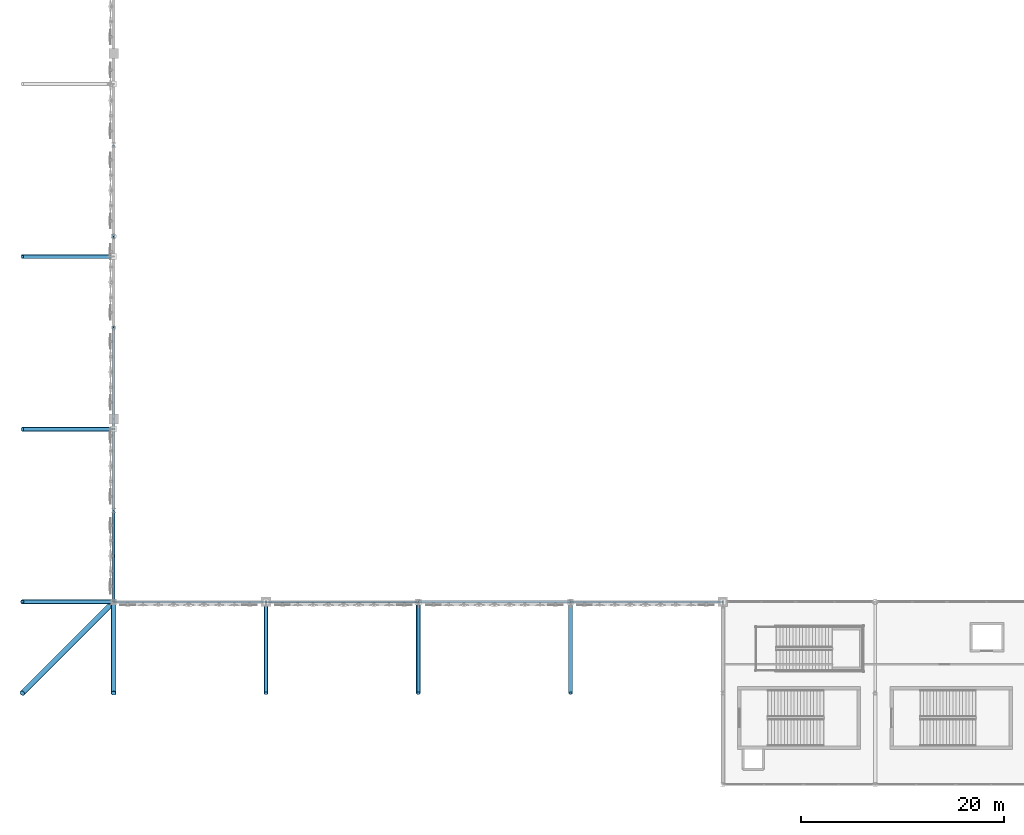
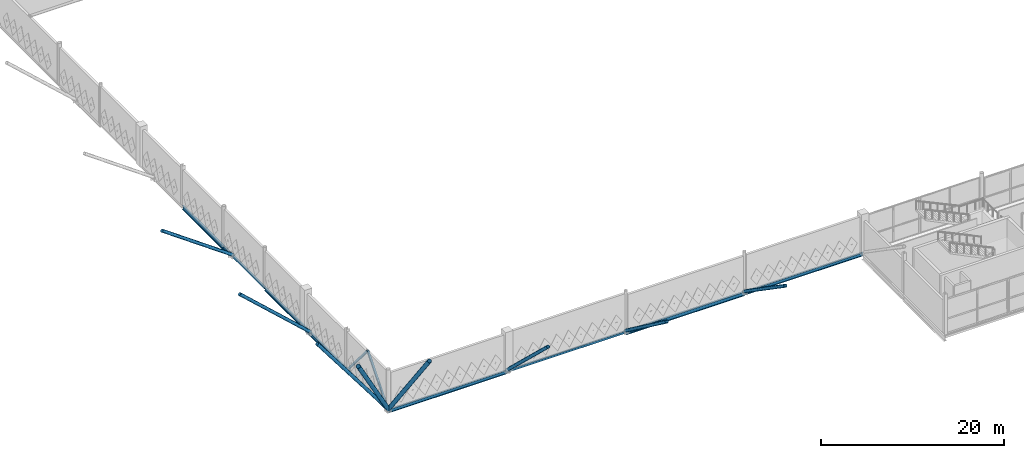
# One storey, part 23 of 119: 10 members, 9 beams.
"""IFC4 building model written with IfcOpenShell, lengths in metres."""

import ifcopenshell
import ifcopenshell.guid

model = None  # the IFC model being written
_history = None  # IfcOwnerHistory: only IFC2X3 demands one
_inside = {}  # id of a spatial element -> (the spatial element, [elements in it])
_under = {}  # id of a project, library or spatial element -> (it, [spatial elements below it])
_declared = {}  # id of a project -> (the project, [libraries it declares])
_typed = {}  # id of a type object -> (the type object, [elements of that type])
_made_of = {}  # id of a material, layer set ... -> (it, [elements and type objects made of it])


def new_model(schema):
    """Start an empty IFC model of exactly this schema.

    Asked for "IFC4X3", IfcOpenShell would pick the latest addendum, in which some entities
    have other attributes; the version numbers below select the first issue.
    IFC2X3 requires an IfcOwnerHistory on every rooted entity: one is made here for all.
    """
    global model, _history
    if schema == "IFC4X3":
        model = ifcopenshell.file(schema_version=(4, 3, 0, 0))
    else:
        model = ifcopenshell.file(schema=schema)
    _inside.clear()
    _under.clear()
    _declared.clear()
    _typed.clear()
    _made_of.clear()
    _history = None
    if model.schema == "IFC2X3":
        org = make("IfcOrganization", Name="unknown")
        user = make(
            "IfcPersonAndOrganization",
            ThePerson=make("IfcPerson", FamilyName="unknown"),
            TheOrganization=org,
        )
        app = make(
            "IfcApplication",
            ApplicationDeveloper=org,
            Version="unknown",
            ApplicationFullName="unknown",
            ApplicationIdentifier="unknown",
        )
        _history = make(
            "IfcOwnerHistory",
            OwningUser=user,
            OwningApplication=app,
            ChangeAction="ADDED",
            CreationDate=0,
        )
    return model


def make(cls, **values):
    """One entity of the class cls with the attributes given. An attribute that is None is left unset."""
    return model.create_entity(
        cls, **{name: value for name, value in values.items() if value is not None}
    )


def rooted(cls, **values):
    """An entity with a GlobalId (a new one), such as an element, a storey or a relation."""
    return make(cls, GlobalId=ifcopenshell.guid.new(), OwnerHistory=_history, **values)


def si_unit(unit_type, name, prefix=None):
    """IfcSIUnit, for example si_unit("LENGTHUNIT", "METRE", prefix="MILLI")."""
    return make("IfcSIUnit", UnitType=unit_type, Prefix=prefix, Name=name)


def assignment(units):
    """IfcUnitAssignment: the units of a project."""
    return None if units is None else make("IfcUnitAssignment", Units=units)


def point(xyz):
    """IfcCartesianPoint."""
    return None if xyz is None else make("IfcCartesianPoint", Coordinates=xyz)


def direction(xyz):
    """IfcDirection."""
    return None if xyz is None else make("IfcDirection", DirectionRatios=xyz)


def frame(location, z_axis=None, x_axis=None):
    """IfcAxis2Placement3D, a coordinate frame: its origin and axes. An axis left out is left unset."""
    return make(
        "IfcAxis2Placement3D",
        Location=point(location),
        Axis=direction(z_axis),
        RefDirection=direction(x_axis),
    )


def frame_2d(location, x_axis=None):
    """IfcAxis2Placement2D, a coordinate frame in the plane: its origin and x axis."""
    return make(
        "IfcAxis2Placement2D", Location=point(location), RefDirection=direction(x_axis)
    )


def origin():
    """The frame at (0, 0, 0) with its axes left unset."""
    return frame((0.0, 0.0, 0.0))


def origin_2d():
    """The frame at (0, 0) in the plane with its x axis left unset."""
    return frame_2d((0.0, 0.0))


def place(relative_to, where):
    """IfcLocalPlacement: puts the frame where relative to a parent placement (None: the world)."""
    return make(
        "IfcLocalPlacement", PlacementRelTo=relative_to, RelativePlacement=where
    )


def context(
    kind, dimensions, precision=None, world=None, true_north=None, identifier=None
):
    """IfcGeometricRepresentationContext, for example the 3D "Model" context."""
    return make(
        "IfcGeometricRepresentationContext",
        ContextIdentifier=identifier,
        ContextType=kind,
        CoordinateSpaceDimension=dimensions,
        Precision=precision,
        WorldCoordinateSystem=world,
        TrueNorth=true_north,
    )


def subcontext(parent, identifier, kind, view, scale=None):
    """IfcGeometricRepresentationSubContext, for example "Body" below "Model"."""
    return make(
        "IfcGeometricRepresentationSubContext",
        ContextIdentifier=identifier,
        ContextType=kind,
        ParentContext=parent,
        TargetScale=scale,
        TargetView=view,
    )


def project(units=None, contexts=None):
    """IfcProject with its units and contexts."""
    return rooted(
        "IfcProject",
        Name="project",
        RepresentationContexts=contexts,
        UnitsInContext=assignment(units),
    )


def spatial(cls, under=None, at=None, **own):
    """A site, building, storey or space (cls), placed at a placement, below another one or the project."""
    s = rooted(cls, ObjectPlacement=at, **own)
    if under is not None:
        _under.setdefault(under.id(), (under, []))[1].append(s)
    return s


def profile(cls, at=None, kind="AREA", **sizes):
    """A parametric profile (cls). Its sizes go by their IFC names, for example OverallWidth=200.0."""
    return make(cls, ProfileType=kind, Position=at, **sizes)


def hollow_rectangle(**sizes):
    """IfcRectangleHollowProfileDef."""
    return profile("IfcRectangleHollowProfileDef", **sizes)


def hollow_circle(**sizes):
    """IfcCircleHollowProfileDef."""
    return profile("IfcCircleHollowProfileDef", **sizes)


def i_section(**sizes):
    """IfcIShapeProfileDef."""
    return profile("IfcIShapeProfileDef", **sizes)


def extrude(swept, where, along, depth):
    """IfcExtrudedAreaSolid: the profile swept, set in the frame where, extruded along a direction by depth."""
    return make(
        "IfcExtrudedAreaSolid",
        SweptArea=swept,
        Position=where,
        ExtrudedDirection=direction(along),
        Depth=depth,
    )


def shape(context_of_items, identifier, shape_type, items):
    """IfcShapeRepresentation: the items that make up one representation, for example the "Body"."""
    return make(
        "IfcShapeRepresentation",
        ContextOfItems=context_of_items,
        RepresentationIdentifier=identifier,
        RepresentationType=shape_type,
        Items=items,
    )


def material(Name=None, Category=None):
    """IfcMaterial."""
    return make("IfcMaterial", Name=Name, Category=Category)


def material_profile(
    of_material, cross_section, Name=None, Category=None, Priority=None
):
    """IfcMaterialProfile: a cross section and its material."""
    return make(
        "IfcMaterialProfile",
        Name=Name,
        Material=of_material,
        Profile=cross_section,
        Priority=Priority,
        Category=Category,
    )


def profile_set(profiles, Name=None, composite=None):
    """IfcMaterialProfileSet."""
    return make(
        "IfcMaterialProfileSet",
        Name=Name,
        MaterialProfiles=profiles,
        CompositeProfile=composite,
    )


def made_of(thing, what):
    """Note that an element or type object is made of a material, layer set ...; save() writes the relation."""
    if what is not None:
        _made_of.setdefault(what.id(), (what, []))[1].append(thing)
    return thing


def type_object(cls, material=None, **own):
    """A type object (cls), such as IfcWallType, which elements share."""
    return made_of(rooted(cls, **own), material)


def element(
    cls,
    number,
    at=None,
    inside=None,
    cuts=None,
    type_object=None,
    material=None,
    context=None,
    identifier="Body",
    shape_type=None,
    held_by="IfcProductDefinitionShape",
    body=None,
    shapes=None,
    **own,
):
    """One element of the class cls, such as IfcWall. Its Tag is "e" and its number.

    at: its placement. inside: the storey or other place that contains it. cuts: it is an
    opening in that element (IfcRelVoidsElement). A single representation is given by context,
    identifier, shape_type and body (its items); several are given by shapes. held_by: the class
    of the entity that holds the representations. save() writes the other relations.
    """
    e = rooted(cls, Tag="e%d" % number, ObjectPlacement=at, **own)
    if body is not None:
        shapes = [shape(context, identifier, shape_type, body)]
    if shapes is not None:
        e.Representation = make(held_by, Representations=shapes)
    if inside is not None:
        _inside.setdefault(inside.id(), (inside, []))[1].append(e)
    if cuts is not None:
        rooted(
            "IfcRelVoidsElement", RelatingBuildingElement=cuts, RelatedOpeningElement=e
        )
    if type_object is not None:
        _typed.setdefault(type_object.id(), (type_object, []))[1].append(e)
    return made_of(e, material)


def aggregate(whole, parts):
    """IfcRelAggregates: a whole, such as a stair, and the parts it consists of."""
    return rooted("IfcRelAggregates", RelatingObject=whole, RelatedObjects=parts)


def save(model, path):
    """Write the relations noted so far, then the file.

    IfcRelAggregates (storeys below a building ...), IfcRelContainedInSpatialStructure (elements
    in a storey), IfcRelDefinesByType, IfcRelAssociatesMaterial and IfcRelDeclares: one each for
    every whole, place, type object, material and project.
    """
    for whole, parts in _under.values():
        aggregate(whole, parts)
    for where, things in _inside.values():
        rooted(
            "IfcRelContainedInSpatialStructure",
            RelatedElements=things,
            RelatingStructure=where,
        )
    for kind, things in _typed.values():
        rooted("IfcRelDefinesByType", RelatedObjects=things, RelatingType=kind)
    for what, things in _made_of.values():
        rooted("IfcRelAssociatesMaterial", RelatedObjects=things, RelatingMaterial=what)
    for by, libraries in _declared.values():
        rooted("IfcRelDeclares", RelatingContext=by, RelatedDefinitions=libraries)
    model.write(path)


model = new_model("IFC4")

# Units and contexts
model_context = context("Model", 3, precision=1e-05, world=origin(), true_north=direction((0.0, 1.0)))
body_context = subcontext(model_context, "Body", "Model", "MODEL_VIEW")
ifc_project = project(units=[si_unit("LENGTHUNIT", "METRE"), si_unit("AREAUNIT", "SQUARE_METRE"), si_unit("VOLUMEUNIT", "CUBIC_METRE"), si_unit("PLANEANGLEUNIT", "RADIAN"), si_unit("MASSUNIT", "GRAM", prefix="KILO")], contexts=[model_context])

# Site, building, storey
site_placement = place(None, origin())
site = spatial("IfcSite", under=ifc_project, at=site_placement, CompositionType="ELEMENT")
building_placement = place(site_placement, origin())
building = spatial("IfcBuilding", under=site, at=building_placement, Name="Qamarlyn Nura Convention Centre", CompositionType="ELEMENT")
storey_placement = place(building_placement, frame((0.0, 0.0, 5.39990234375)))
storey = spatial("IfcBuildingStorey", under=building, at=storey_placement, Name="L01", CompositionType="ELEMENT", Elevation=5.39990234375)

# Beams
ifc_material_1 = material(Name="Steel ASTM A992", Category="steel")
ifc_material_profile_1 = material_profile(ifc_material_1, i_section(OverallWidth=0.193115234375, OverallDepth=0.466064453125, WebThickness=0.011474609375, FlangeThickness=0.01904296875, FilletRadius=0.012939453125, at=origin_2d()), Name="W460X97")
ifc_profile_set_1 = profile_set([ifc_material_profile_1], Name="Steel ASTM A992")
beam_type_1 = type_object("IfcBeamType", Name="BM-SPAN-460", PredefinedType="SPANDREL", material=ifc_profile_set_1)
for number, where, z_axis, x_axis, name in (
    (1, (0.0, 18.0, -0.23291015625), (1.0, 0.0, 0.0), (0.0, 1.0, 0.0), "L01 girder C 1-2"),
    (2, (45.0, 18.0, -0.23291015625), (1.0, 0.0, 0.0), (0.0, 1.0, 0.0), "L01 girder C 4-5"),
):
    element("IfcBeam", number, at=place(storey_placement, frame(where, z_axis=z_axis, x_axis=x_axis)), inside=storey, type_object=beam_type_1, Name=name, PredefinedType="SPANDREL", context=body_context, shape_type="SweptSolid", body=[
        extrude(i_section(OverallWidth=0.193115234375, OverallDepth=0.466064453125, WebThickness=0.011474609375, FlangeThickness=0.01904296875, FilletRadius=0.012939453125, at=origin_2d()), origin(), (0.0, 0.0, 1.0), 15.0),
    ])
beam_1_placement = place(storey_placement, frame((0.0, 36.0, -0.23291015625), z_axis=(0.0, 1.0, 0.0), x_axis=(-1.0, 0.0, 0.0)))
element("IfcBeam", 3, at=beam_1_placement, inside=storey, type_object=beam_type_1, Name="L01 girder 1 E-F", PredefinedType="SPANDREL", context=body_context, shape_type="SweptSolid", body=[
    extrude(i_section(OverallWidth=0.193115234375, OverallDepth=0.466064453125, WebThickness=0.011474609375, FlangeThickness=0.01904296875, FilletRadius=0.012939453125, at=origin_2d()), origin(), (0.0, 0.0, 1.0), 9.0),
])
ifc_material_profile_2 = material_profile(ifc_material_1, i_section(OverallWidth=0.2109375, OverallDepth=0.5390625, WebThickness=0.01171875, FlangeThickness=0.018798828125, FilletRadius=0.013916015625, at=origin_2d()), Name="W530X109")
ifc_profile_set_2 = profile_set([ifc_material_profile_2], Name="Steel ASTM A992")
beam_type_2 = type_object("IfcBeamType", Name="BM-SPAN-530", PredefinedType="SPANDREL", material=ifc_profile_set_2)
beam_2_placement = place(storey_placement, frame((30.0, 18.0, -0.269287109375), z_axis=(1.0, 0.0, 0.0), x_axis=(0.0, 1.0, 0.0)))
element("IfcBeam", 4, at=beam_2_placement, inside=storey, type_object=beam_type_2, Name="L01 girder C 3-4", PredefinedType="SPANDREL", context=body_context, shape_type="SweptSolid", body=[
    extrude(i_section(OverallWidth=0.2109375, OverallDepth=0.5390625, WebThickness=0.01171875, FlangeThickness=0.018798828125, FilletRadius=0.013916015625, at=origin_2d()), origin(), (0.0, 0.0, 1.0), 15.0),
])
for number, where, z_axis, x_axis, name in (
    (5, (0.0, 27.0, -0.269287109375), (0.0, 1.0, 0.0), (-1.0, 0.0, 0.0), "L01 girder 1 D-E"),
    (6, (0.0, 54.0, -0.269287109375), (0.0, 1.0, 0.0), (-1.0, 0.0, 0.0), "L01 girder 1 G-H"),
):
    element("IfcBeam", number, at=place(storey_placement, frame(where, z_axis=z_axis, x_axis=x_axis)), inside=storey, type_object=beam_type_2, Name=name, PredefinedType="SPANDREL", context=body_context, shape_type="SweptSolid", body=[
        extrude(i_section(OverallWidth=0.2109375, OverallDepth=0.5390625, WebThickness=0.01171875, FlangeThickness=0.018798828125, FilletRadius=0.013916015625, at=origin_2d()), origin(), (0.0, 0.0, 1.0), 9.0),
    ])
ifc_material_2 = material(Name="Steel ASTM A500 Grade C", Category="steel")
ifc_material_profile_3 = material_profile(ifc_material_2, hollow_rectangle(XDim=0.199951171875, YDim=0.300048828125, WallThickness=0.012451171875, InnerFilletRadius=0.012451171875, OuterFilletRadius=0.02490234375, at=origin_2d()), Name="HSS300X200X12.5")
ifc_profile_set_3 = profile_set([ifc_material_profile_3], Name="Steel ASTM A500 Grade C")
beam_type_3 = type_object("IfcBeamType", Name="BM-SPAN-HSS", PredefinedType="SPANDREL", material=ifc_profile_set_3)
beam_3_placement = place(storey_placement, frame((15.0, 18.0, -0.14990234375), z_axis=(1.0, 0.0, 0.0), x_axis=(0.0, 1.0, 0.0)))
element("IfcBeam", 7, at=beam_3_placement, inside=storey, type_object=beam_type_3, Name="L01 girder C 2-3", PredefinedType="SPANDREL", context=body_context, shape_type="SweptSolid", body=[
    extrude(hollow_rectangle(XDim=0.199951171875, YDim=0.300048828125, WallThickness=0.012451171875, InnerFilletRadius=0.012451171875, OuterFilletRadius=0.02490234375, at=origin_2d()), origin(), (0.0, 0.0, 1.0), 15.0),
])
for number, where, z_axis, x_axis, name in (
    (8, (0.0, 18.0, -0.14990234375), (0.0, 1.0, 0.0), (-1.0, 0.0, 0.0), "L01 girder 1 C-D"),
    (9, (0.0, 45.0, -0.14990234375), (0.0, 1.0, 0.0), (-1.0, 0.0, 0.0), "L01 girder 1 F-G"),
):
    element("IfcBeam", number, at=place(storey_placement, frame(where, z_axis=z_axis, x_axis=x_axis)), inside=storey, type_object=beam_type_3, Name=name, PredefinedType="SPANDREL", context=body_context, shape_type="SweptSolid", body=[
        extrude(hollow_rectangle(XDim=0.199951171875, YDim=0.300048828125, WallThickness=0.012451171875, InnerFilletRadius=0.012451171875, OuterFilletRadius=0.02490234375, at=origin_2d()), origin(), (0.0, 0.0, 1.0), 9.0),
    ])

# Members
ifc_material_profile_4 = material_profile(ifc_material_2, hollow_rectangle(XDim=0.25, YDim=0.25, WallThickness=0.012451171875, InnerFilletRadius=0.012451171875, OuterFilletRadius=0.02490234375, at=origin_2d()), Name="HSS250X250X12.5")
ifc_profile_set_4 = profile_set([ifc_material_profile_4], Name="Steel ASTM A500 Grade C")
member_type_1 = type_object("IfcMemberType", Name="CBF-BRC-250", PredefinedType="BRACE", material=ifc_profile_set_4)
for number, where, z_axis, x_axis, name in (
    (10, (0.0, 18.179931640625, 0.0), (0.0, 0.646343318291, 0.763046731794), (-1.0, 0.0, 0.0), "L01 SCBF chevron brace CBF-W1L"),
    (11, (0.0, 26.820068359375, 0.0), (0.0, -0.646343318291, 0.763046731794), (1.0, 0.0, 0.0), "L01 SCBF chevron brace CBF-W1R"),
):
    element("IfcMember", number, at=place(storey_placement, frame(where, z_axis=z_axis, x_axis=x_axis)), inside=storey, type_object=member_type_1, Name=name, PredefinedType="BRACE", context=body_context, shape_type="SweptSolid", body=[
        extrude(hollow_rectangle(XDim=0.25, YDim=0.25, WallThickness=0.012451171875, InnerFilletRadius=0.012451171875, OuterFilletRadius=0.02490234375, at=origin_2d()), origin(), (0.0, 0.0, 1.0), 6.683837890625),
    ])
ifc_material_3 = material(Name="Pearl-white PVDF steel ASTM A500 Grade C", Category="steel")
ifc_material_profile_5 = material_profile(ifc_material_3, hollow_circle(Radius=0.203125, WallThickness=0.01611328125, at=origin_2d()), Name="CHS406.4X16")
ifc_profile_set_5 = profile_set([ifc_material_profile_5], Name="Pearl-white PVDF steel ASTM A500 Grade C")
member_type_2 = type_object("IfcMemberType", Name="STR-TREE-01", PredefinedType="BRACE", material=ifc_profile_set_5)
member_1_placement = place(storey_placement, frame((0.0, 18.0, 0.0), z_axis=(-0.60302653053, 0.0, 0.797721131397), x_axis=(0.0, -1.0, 0.0)))
element("IfcMember", 12, at=member_1_placement, inside=storey, type_object=member_type_2, Name="Raked tree strut RTS-W-2", PredefinedType="BRACE", context=body_context, shape_type="SweptSolid", body=[
    extrude(hollow_circle(Radius=0.203125, WallThickness=0.01611328125, at=origin_2d()), origin(), (0.0, 0.0, 1.0), 14.9248046875),
])
member_2_placement = place(storey_placement, frame((0.0, 35.0, 0.0), z_axis=(-0.737881551226, 0.0, 0.674930230735), x_axis=(0.0, -1.0, 0.0)))
element("IfcMember", 13, at=member_2_placement, inside=storey, type_object=member_type_2, Name="Raked tree strut RTS-W-3", PredefinedType="BRACE", context=body_context, shape_type="SweptSolid", body=[
    extrude(hollow_circle(Radius=0.203125, WallThickness=0.01611328125, at=origin_2d()), origin(), (0.0, 0.0, 1.0), 12.197021484375),
])
member_3_placement = place(storey_placement, frame((0.0, 52.0, 0.0), z_axis=(-0.814708921075, 0.0, 0.579870135394), x_axis=(0.0, -1.0, 0.0)))
element("IfcMember", 14, at=member_3_placement, inside=storey, type_object=member_type_2, Name="Raked tree strut RTS-W-4", PredefinedType="BRACE", context=body_context, shape_type="SweptSolid", body=[
    extrude(hollow_circle(Radius=0.203125, WallThickness=0.01611328125, at=origin_2d()), origin(), (0.0, 0.0, 1.0), 11.046875),
])
member_4_placement = place(storey_placement, frame((15.0, 18.0, 0.0), z_axis=(0.0, -0.724163157325, 0.689628683839), x_axis=(1.0, 0.0, 0.0)))
element("IfcMember", 15, at=member_4_placement, inside=storey, type_object=member_type_2, Name="Raked tree strut RTS-S-3", PredefinedType="BRACE", context=body_context, shape_type="SweptSolid", body=[
    extrude(hollow_circle(Radius=0.203125, WallThickness=0.01611328125, at=origin_2d()), origin(), (0.0, 0.0, 1.0), 12.42822265625),
])
member_5_placement = place(storey_placement, frame((30.0, 18.0, 0.0), z_axis=(0.0, -0.803595421859, 0.595175938667), x_axis=(1.0, 0.0, 0.0)))
element("IfcMember", 16, at=member_5_placement, inside=storey, type_object=member_type_2, Name="Raked tree strut RTS-S-4", PredefinedType="BRACE", context=body_context, shape_type="SweptSolid", body=[
    extrude(hollow_circle(Radius=0.203125, WallThickness=0.01611328125, at=origin_2d()), origin(), (0.0, 0.0, 1.0), 11.19970703125),
])
member_6_placement = place(storey_placement, frame((45.0, 18.0, 0.0), z_axis=(0.0, -0.823499251908, 0.567317355725), x_axis=(1.0, 0.0, 0.0)))
element("IfcMember", 17, at=member_6_placement, inside=storey, type_object=member_type_2, Name="Raked tree strut RTS-S-5", PredefinedType="BRACE", context=body_context, shape_type="SweptSolid", body=[
    extrude(hollow_circle(Radius=0.203125, WallThickness=0.01611328125, at=origin_2d()), origin(), (0.0, 0.0, 1.0), 10.928955078125),
])
ifc_material_profile_6 = material_profile(ifc_material_3, hollow_circle(Radius=0.25390625, WallThickness=0.02001953125, at=origin_2d()), Name="CHS508X20")
ifc_profile_set_6 = profile_set([ifc_material_profile_6], Name="Pearl-white PVDF steel ASTM A500 Grade C")
member_type_3 = type_object("IfcMemberType", Name="STR-TREE-02", PredefinedType="BRACE", material=ifc_profile_set_6)
member_7_placement = place(storey_placement, frame((0.0, 18.0, 0.0), z_axis=(0.0, -0.60302653053, 0.797721131397), x_axis=(1.0, 0.0, 0.0)))
element("IfcMember", 18, at=member_7_placement, inside=storey, type_object=member_type_3, Name="Raked tree strut RTS-S-2", PredefinedType="BRACE", context=body_context, shape_type="SweptSolid", body=[
    extrude(hollow_circle(Radius=0.25390625, WallThickness=0.02001953125, at=origin_2d()), origin(), (0.0, 0.0, 1.0), 14.9248046875),
])
member_8_placement = place(storey_placement, frame((0.0, 18.0, 0.0), z_axis=(-0.469191650761, -0.469191650761, 0.748143294905), x_axis=(0.707106781187, -0.707106781187, 0.0)))
element("IfcMember", 19, at=member_8_placement, inside=storey, type_object=member_type_3, Name="Raked tree strut RTS-SW-CRN", PredefinedType="BRACE", context=body_context, shape_type="SweptSolid", body=[
    extrude(hollow_circle(Radius=0.25390625, WallThickness=0.02001953125, at=origin_2d()), origin(), (0.0, 0.0, 1.0), 19.181884765625),
])

save(model, "model.ifc")
